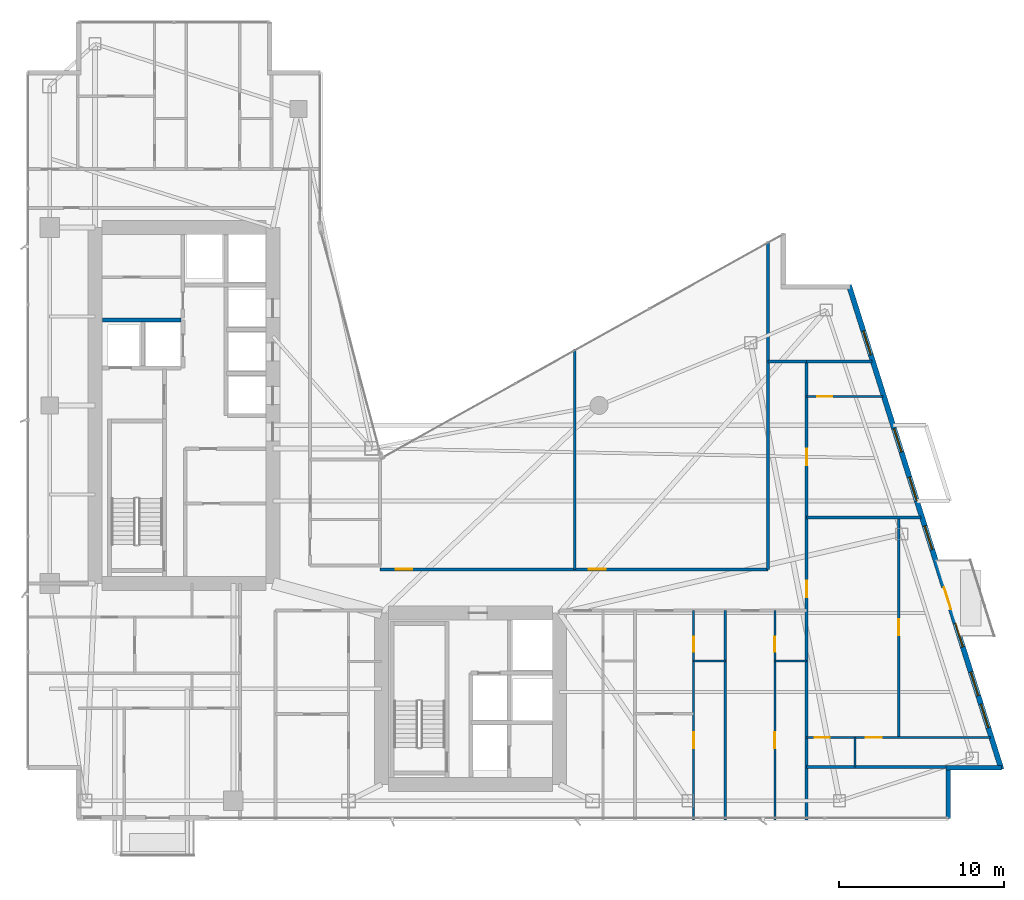
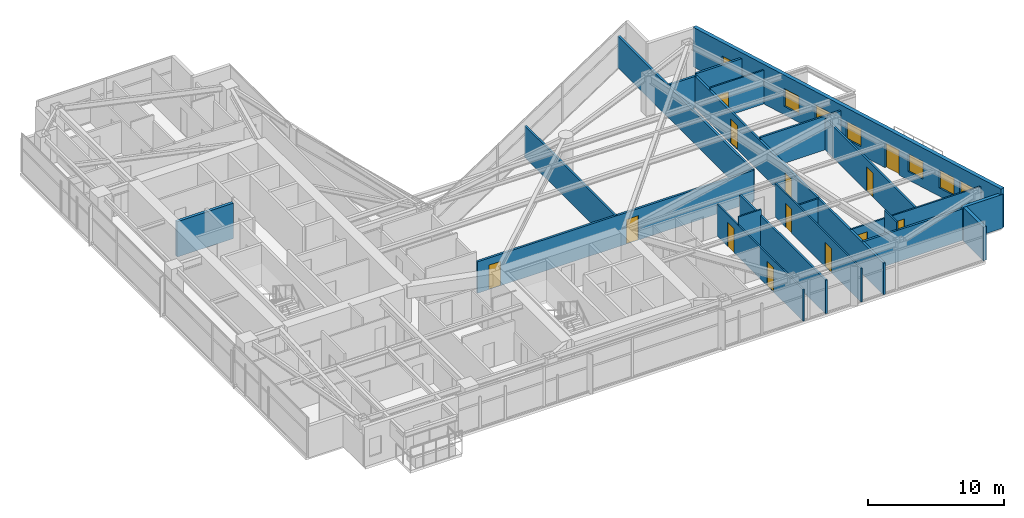
# One storey, part 24 of 28: 21 walls, 13 doors, 7 windows, 20 openings.
"""IFC4 building model written with IfcOpenShell, lengths in metres."""

from ifc_helpers import new_model, si_unit, direction, frame, frame_2d, origin, place, context, subcontext, project, spatial, rectangle, extrude, material, layer, layer_set, type_object, element, fill, save


model = new_model("IFC4")

# Units and contexts
model_context = context("Model", 3, precision=1e-05, world=origin(), true_north=direction((0.0, 1.0)))
body_context = subcontext(model_context, "Body", "Model", "MODEL_VIEW")
ifc_project = project(units=[si_unit("LENGTHUNIT", "METRE"), si_unit("AREAUNIT", "SQUARE_METRE"), si_unit("VOLUMEUNIT", "CUBIC_METRE"), si_unit("PLANEANGLEUNIT", "RADIAN"), si_unit("MASSUNIT", "GRAM", prefix="KILO")], contexts=[model_context])

# Site, building, storey
site_placement = place(None, origin())
site = spatial("IfcSite", under=ifc_project, at=site_placement, CompositionType="ELEMENT")
building_placement = place(site_placement, origin())
building = spatial("IfcBuilding", under=site, at=building_placement, Name="Calvorn Quay Hotel", CompositionType="ELEMENT")
storey_placement = place(building_placement, frame((0.0, 0.0, 108.800048828125)))
storey = spatial("IfcBuildingStorey", under=building, at=storey_placement, Name="L26", CompositionType="ELEMENT", Elevation=108.800048828125)

# Wall, openings, doors
ifc_material_1 = material(Name="Acoustic Fireboard Steel-Stud Partition", Category="steel")
ifc_layer_1 = layer(ifc_material_1, 0.179931640625)
ifc_layer_set_1 = layer_set([ifc_layer_1], Name="WL-CORR-FIRE-180")
wall_type_1 = type_object("IfcWallType", Name="WL-CORR-FIRE-180", PredefinedType="PARTITIONING", material=ifc_layer_set_1)
wall_1_placement = place(storey_placement, frame((21.5, 17.64990234375, 0.0), z_axis=(0.0, 0.0, 1.0), x_axis=(1.0, 0.0, 0.0)))
wall_1 = element("IfcWall", 1, at=wall_1_placement, inside=storey, type_object=wall_type_1, Name="Partition Wall L26-WL-CORR-NE-N", PredefinedType="PARTITIONING", context=body_context, shape_type="SweptSolid", body=[
    extrude(rectangle(XDim=23.550048828125, YDim=0.179931640625, at=frame_2d((11.77490234375, 0.0))), origin(), (0.0, 0.0, 1.0), 2.83984375),
])
opening_1_placement = place(wall_1_placement, frame((0.949951171875, 0.0, 0.0)))
opening_1 = element("IfcOpeningElement", 2, at=opening_1_placement, cuts=wall_1, Name="Opening D-L26-NS1", PredefinedType="OPENING", context=body_context, shape_type="SweptSolid", body=[
    extrude(rectangle(XDim=1.02001953125, YDim=2.199951171875, at=frame_2d((0.510009765625, 1.10009765625))), frame((0.0, 0.099853515625, 0.0), z_axis=(0.0, -1.0, 0.0), x_axis=(1.0, 0.0, 0.0)), (0.0, 0.0, 1.0), 0.199951171875),
])
opening_2_placement = place(wall_1_placement, frame((12.679931640625, 0.0, 0.0)))
opening_2 = element("IfcOpeningElement", 3, at=opening_2_placement, cuts=wall_1, Name="Opening D-L26-NS2", PredefinedType="OPENING", context=body_context, shape_type="SweptSolid", body=[
    extrude(rectangle(XDim=1.02001953125, YDim=2.199951171875, at=frame_2d((0.510009765625, 1.10009765625))), frame((0.0, 0.099853515625, 0.0), z_axis=(0.0, -1.0, 0.0), x_axis=(1.0, 0.0, 0.0)), (0.0, 0.0, 1.0), 0.199951171875),
])
ifc_material_2 = material(Name="Solid-Core Walnut Veneer Hotel Fire Door")
door_type_1 = type_object("IfcDoorType", Name="DR-GUEST-ENTRY-1020", OperationType="NOTDEFINED", PredefinedType="DOOR", material=ifc_material_2)
door_1_placement = place(opening_1_placement, origin())
door_1 = element("IfcDoor", 4, at=door_1_placement, inside=storey, type_object=door_type_1, Name="Conservatory Salon Door 1 (L26)", OperationType="SINGLE_SWING_RIGHT", OverallHeight=2.199951171875, OverallWidth=1.02001953125, PredefinedType="DOOR", context=body_context, shape_type="SweptSolid", body=[
    extrude(rectangle(XDim=1.02001953125, YDim=2.199951171875, at=frame_2d((0.510009765625, 1.10009765625))), frame((0.0, 0.02490234375, 0.0), z_axis=(0.0, -1.0, 0.0), x_axis=(1.0, 0.0, 0.0)), (0.0, 0.0, 1.0), 0.050048828125),
])
fill(opening_1, door_1)
door_2_placement = place(opening_2_placement, origin())
door_2 = element("IfcDoor", 5, at=door_2_placement, inside=storey, type_object=door_type_1, Name="Conservatory Salon Door 2 (L26)", OperationType="SINGLE_SWING_LEFT", OverallHeight=2.199951171875, OverallWidth=1.02001953125, PredefinedType="DOOR", context=body_context, shape_type="SweptSolid", body=[
    extrude(rectangle(XDim=1.02001953125, YDim=2.199951171875, at=frame_2d((0.510009765625, 1.10009765625))), frame((0.0, 0.02490234375, 0.0), z_axis=(0.0, -1.0, 0.0), x_axis=(1.0, 0.0, 0.0)), (0.0, 0.0, 1.0), 0.050048828125),
])
fill(opening_2, door_2)

# Walls
wall_2_placement = place(storey_placement, frame((45.050048828125, 17.64990234375, 0.0), z_axis=(0.0, 0.0, 1.0), x_axis=(0.0, 1.0, 0.0)))
element("IfcWall", 6, at=wall_2_placement, inside=storey, type_object=wall_type_1, Name="Partition Wall L26-WL-NE-END-E", PredefinedType="PARTITIONING", context=body_context, shape_type="SweptSolid", body=[
    extrude(rectangle(XDim=19.900146484375, YDim=0.179931640625, at=frame_2d((9.9501953125, 0.0))), origin(), (0.0, 0.0, 1.0), 2.83984375),
])
wall_3_placement = place(storey_placement, frame((47.39990234375, 5.659912109375, 0.0), z_axis=(0.0, 0.0, 1.0), x_axis=(1.0, 0.0, 0.0)))
element("IfcWall", 7, at=wall_3_placement, inside=storey, type_object=wall_type_1, Name="Partition Wall L26-WL-TIP-S", PredefinedType="PARTITIONING", context=body_context, shape_type="SweptSolid", body=[
    extrude(rectangle(XDim=8.60009765625, YDim=0.179931640625, at=frame_2d((4.300048828125, 0.0))), origin(), (0.0, 0.0, 1.0), 2.83984375),
])
wall_4_placement = place(storey_placement, frame((47.39990234375, 30.280029296875, 0.0), z_axis=(0.0, 0.0, 1.0), x_axis=(1.0, 0.0, 0.0)))
element("IfcWall", 8, at=wall_4_placement, inside=storey, type_object=wall_type_1, Name="Partition Wall L26-WL-TIP-N", PredefinedType="PARTITIONING", context=body_context, shape_type="SweptSolid", body=[
    extrude(rectangle(XDim=3.960205078125, YDim=0.179931640625, at=frame_2d((1.97998046875, 0.0))), origin(), (0.0, 0.0, 1.0), 3.0400390625),
])

# Wall, openings, doors
wall_5_placement = place(storey_placement, frame((47.39990234375, 2.43994140625, 0.0), z_axis=(0.0, 0.0, 1.0), x_axis=(0.0, 1.0, 0.0)))
wall_5 = element("IfcWall", 9, at=wall_5_placement, inside=storey, type_object=wall_type_1, Name="Partition Wall L26-WL-CORR-TIP-E", PredefinedType="PARTITIONING", context=body_context, shape_type="SweptSolid", body=[
    extrude(rectangle(XDim=27.840087890625, YDim=0.179931640625, at=frame_2d((13.919921875, 0.0))), origin(), (0.0, 0.0, 1.0), 2.83984375),
])
opening_3_placement = place(wall_5_placement, frame((13.510009765625, 0.0, 0.0)))
opening_3 = element("IfcOpeningElement", 10, at=opening_3_placement, cuts=wall_5, Name="Opening D-L26-U09", PredefinedType="OPENING", context=body_context, shape_type="SweptSolid", body=[
    extrude(rectangle(XDim=1.02001953125, YDim=2.199951171875, at=frame_2d((0.510009765625, 1.10009765625))), frame((0.0, 0.099853515625, 0.0), z_axis=(0.0, -1.0, 0.0), x_axis=(1.0, 0.0, 0.0)), (0.0, 0.0, 1.0), 0.199951171875),
])
opening_4_placement = place(wall_5_placement, frame((21.52001953125, 0.0, 0.0)))
opening_4 = element("IfcOpeningElement", 11, at=opening_4_placement, cuts=wall_5, Name="Opening D-L26-U10", PredefinedType="OPENING", context=body_context, shape_type="SweptSolid", body=[
    extrude(rectangle(XDim=1.02001953125, YDim=2.199951171875, at=frame_2d((0.510009765625, 1.10009765625))), frame((0.0, 0.099853515625, 0.0), z_axis=(0.0, -1.0, 0.0), x_axis=(1.0, 0.0, 0.0)), (0.0, 0.0, 1.0), 0.199951171875),
])
door_3_placement = place(opening_3_placement, origin())
door_3 = element("IfcDoor", 12, at=door_3_placement, inside=storey, type_object=door_type_1, Name="Terrace Suite Door U09 (L26)", OperationType="SINGLE_SWING_LEFT", OverallHeight=2.199951171875, OverallWidth=1.02001953125, PredefinedType="DOOR", context=body_context, shape_type="SweptSolid", body=[
    extrude(rectangle(XDim=1.02001953125, YDim=2.199951171875, at=frame_2d((0.510009765625, 1.10009765625))), frame((0.0, 0.02490234375, 0.0), z_axis=(0.0, -1.0, 0.0), x_axis=(1.0, 0.0, 0.0)), (0.0, 0.0, 1.0), 0.050048828125),
])
fill(opening_3, door_3)
door_4_placement = place(opening_4_placement, origin())
door_4 = element("IfcDoor", 13, at=door_4_placement, inside=storey, type_object=door_type_1, Name="Horizon Suite Door U10 (L26)", OperationType="SINGLE_SWING_RIGHT", OverallHeight=2.199951171875, OverallWidth=1.02001953125, PredefinedType="DOOR", context=body_context, shape_type="SweptSolid", body=[
    extrude(rectangle(XDim=1.02001953125, YDim=2.199951171875, at=frame_2d((0.510009765625, 1.10009765625))), frame((0.0, 0.02490234375, 0.0), z_axis=(0.0, -1.0, 0.0), x_axis=(1.0, 0.0, 0.0)), (0.0, 0.0, 1.0), 0.050048828125),
])
fill(opening_4, door_4)

# Walls
wall_6_placement = place(storey_placement, frame((45.050048828125, 30.280029296875, 0.0), z_axis=(0.0, 0.0, 1.0), x_axis=(1.0, 0.0, 0.0)))
element("IfcWall", 14, at=wall_6_placement, inside=storey, type_object=wall_type_1, Name="Partition Wall L26-WL-CORR-TIP-NN", PredefinedType="PARTITIONING", context=body_context, shape_type="SweptSolid", body=[
    extrude(rectangle(XDim=2.349853515625, YDim=0.179931640625, at=frame_2d((1.1748046875, 0.0))), origin(), (0.0, 0.0, 1.0), 2.83984375),
])
ifc_material_3 = material(Name="Moisture-Resistant Tile-Backed Partition")
ifc_layer_2 = layer(ifc_material_3, 0.125)
ifc_layer_set_2 = layer_set([ifc_layer_2], Name="WL-ENSUITE-125")
wall_type_2 = type_object("IfcWallType", Name="WL-ENSUITE-125", PredefinedType="PARTITIONING", material=ifc_layer_set_2)
wall_7_placement = place(storey_placement, frame((40.5400390625, 12.10009765625, 0.0), z_axis=(0.0, 0.0, 1.0), x_axis=(1.0, 0.0, 0.0)))
element("IfcWall", 15, at=wall_7_placement, inside=storey, type_object=wall_type_2, Name="Partition Wall L26-WL-U07-BDV", PredefinedType="PARTITIONING", context=body_context, shape_type="SweptSolid", body=[
    extrude(rectangle(XDim=1.929931640625, YDim=0.125, at=frame_2d((0.96484375, 0.0))), origin(), (0.0, 0.0, 1.0), 3.56005859375),
])

# Wall, openings, doors
wall_8_placement = place(storey_placement, frame((40.5400390625, 2.43994140625, 0.0), z_axis=(0.0, 0.0, 1.0), x_axis=(0.0, 1.0, 0.0)))
wall_8 = element("IfcWall", 16, at=wall_8_placement, inside=storey, type_object=wall_type_2, Name="Partition Wall L26-WL-U07-BV", PredefinedType="PARTITIONING", context=body_context, shape_type="SweptSolid", body=[
    extrude(rectangle(XDim=12.7099609375, YDim=0.125, at=frame_2d((6.35498046875, 0.0))), origin(), (0.0, 0.0, 1.0), 2.83984375),
])
opening_5_placement = place(wall_8_placement, frame((4.35009765625, 0.0, 0.0)))
opening_5 = element("IfcOpeningElement", 17, at=opening_5_placement, cuts=wall_8, Name="Opening D-L26-S07", PredefinedType="OPENING", context=body_context, shape_type="SweptSolid", body=[
    extrude(rectangle(XDim=0.9599609375, YDim=2.199951171875, at=frame_2d((0.47998046875, 1.10009765625))), frame((0.0, 0.072509765625, 0.0), z_axis=(0.0, -1.0, 0.0), x_axis=(1.0, 0.0, 0.0)), (0.0, 0.0, 1.0), 0.14501953125),
])
opening_6_placement = place(wall_8_placement, frame((10.2099609375, 0.0, 0.0)))
opening_6 = element("IfcOpeningElement", 18, at=opening_6_placement, cuts=wall_8, Name="Opening D-L26-E07", PredefinedType="OPENING", context=body_context, shape_type="SweptSolid", body=[
    extrude(rectangle(XDim=0.89990234375, YDim=2.14990234375, at=frame_2d((0.449951171875, 1.074951171875))), frame((0.0, 0.072509765625, 0.0), z_axis=(0.0, -1.0, 0.0), x_axis=(1.0, 0.0, 0.0)), (0.0, 0.0, 1.0), 0.14501953125),
])
ifc_material_4 = material(Name="Moisture-Sealed Timber En-Suite Door", Category="wood")
door_type_2 = type_object("IfcDoorType", Name="DR-ENSUITE-900", OperationType="NOTDEFINED", PredefinedType="DOOR", material=ifc_material_4)
door_5_placement = place(opening_6_placement, origin())
door_5 = element("IfcDoor", 19, at=door_5_placement, inside=storey, type_object=door_type_2, Name="En-Suite Door 07", OperationType="SINGLE_SWING_RIGHT", OverallHeight=2.14990234375, OverallWidth=0.89990234375, PredefinedType="DOOR", context=body_context, shape_type="SweptSolid", body=[
    extrude(rectangle(XDim=0.89990234375, YDim=2.14990234375, at=frame_2d((0.449951171875, 1.074951171875))), frame((0.0, 0.02490234375, 0.0), z_axis=(0.0, -1.0, 0.0), x_axis=(1.0, 0.0, 0.0)), (0.0, 0.0, 1.0), 0.050048828125),
])
fill(opening_6, door_5)
ifc_material_5 = material(Name="Solid Timber Internal Suite Door", Category="wood")
door_type_3 = type_object("IfcDoorType", Name="DR-SUITE-INT-960", OperationType="NOTDEFINED", PredefinedType="DOOR", material=ifc_material_5)
door_6_placement = place(opening_5_placement, origin())
door_6 = element("IfcDoor", 20, at=door_6_placement, inside=storey, type_object=door_type_3, Name="Harbour Dining Den Door 07", OperationType="SINGLE_SWING_LEFT", OverallHeight=2.199951171875, OverallWidth=0.9599609375, PredefinedType="DOOR", context=body_context, shape_type="SweptSolid", body=[
    extrude(rectangle(XDim=0.9599609375, YDim=2.199951171875, at=frame_2d((0.47998046875, 1.10009765625))), frame((0.0, 0.02490234375, 0.0), z_axis=(0.0, -1.0, 0.0), x_axis=(1.0, 0.0, 0.0)), (0.0, 0.0, 1.0), 0.050048828125),
])
fill(opening_5, door_6)

# Wall
wall_9_placement = place(storey_placement, frame((45.469970703125, 12.10009765625, 0.0), z_axis=(0.0, 0.0, 1.0), x_axis=(1.0, 0.0, 0.0)))
element("IfcWall", 21, at=wall_9_placement, inside=storey, type_object=wall_type_2, Name="Partition Wall L26-WL-U08-BDV", PredefinedType="PARTITIONING", context=body_context, shape_type="SweptSolid", body=[
    extrude(rectangle(XDim=1.929931640625, YDim=0.125, at=frame_2d((0.96484375, 0.0))), origin(), (0.0, 0.0, 1.0), 2.83984375),
])

# Wall, openings, doors
wall_10_placement = place(storey_placement, frame((45.469970703125, 2.43994140625, 0.0), z_axis=(0.0, 0.0, 1.0), x_axis=(0.0, 1.0, 0.0)))
wall_10 = element("IfcWall", 22, at=wall_10_placement, inside=storey, type_object=wall_type_2, Name="Partition Wall L26-WL-U08-BV", PredefinedType="PARTITIONING", context=body_context, shape_type="SweptSolid", body=[
    extrude(rectangle(XDim=12.7099609375, YDim=0.125, at=frame_2d((6.35498046875, 0.0))), origin(), (0.0, 0.0, 1.0), 3.0400390625),
])
opening_7_placement = place(wall_10_placement, frame((4.35009765625, 0.0, 0.0)))
opening_7 = element("IfcOpeningElement", 23, at=opening_7_placement, cuts=wall_10, Name="Opening D-L26-S08", PredefinedType="OPENING", context=body_context, shape_type="SweptSolid", body=[
    extrude(rectangle(XDim=0.9599609375, YDim=2.199951171875, at=frame_2d((0.47998046875, 1.10009765625))), frame((0.0, 0.072509765625, 0.0), z_axis=(0.0, -1.0, 0.0), x_axis=(1.0, 0.0, 0.0)), (0.0, 0.0, 1.0), 0.14501953125),
])
opening_8_placement = place(wall_10_placement, frame((10.2099609375, 0.0, 0.0)))
opening_8 = element("IfcOpeningElement", 24, at=opening_8_placement, cuts=wall_10, Name="Opening D-L26-E08", PredefinedType="OPENING", context=body_context, shape_type="SweptSolid", body=[
    extrude(rectangle(XDim=0.89990234375, YDim=2.14990234375, at=frame_2d((0.449951171875, 1.074951171875))), frame((0.0, 0.072509765625, 0.0), z_axis=(0.0, -1.0, 0.0), x_axis=(1.0, 0.0, 0.0)), (0.0, 0.0, 1.0), 0.14501953125),
])
door_7_placement = place(opening_8_placement, origin())
door_7 = element("IfcDoor", 25, at=door_7_placement, inside=storey, type_object=door_type_2, Name="En-Suite Door 08", OperationType="SINGLE_SWING_RIGHT", OverallHeight=2.14990234375, OverallWidth=0.89990234375, PredefinedType="DOOR", context=body_context, shape_type="SweptSolid", body=[
    extrude(rectangle(XDim=0.89990234375, YDim=2.14990234375, at=frame_2d((0.449951171875, 1.074951171875))), frame((0.0, 0.02490234375, 0.0), z_axis=(0.0, -1.0, 0.0), x_axis=(1.0, 0.0, 0.0)), (0.0, 0.0, 1.0), 0.050048828125),
])
fill(opening_8, door_7)
door_8_placement = place(opening_7_placement, origin())
door_8 = element("IfcDoor", 26, at=door_8_placement, inside=storey, type_object=door_type_3, Name="Harbour Dining Den Door 08", OperationType="SINGLE_SWING_LEFT", OverallHeight=2.199951171875, OverallWidth=0.9599609375, PredefinedType="DOOR", context=body_context, shape_type="SweptSolid", body=[
    extrude(rectangle(XDim=0.9599609375, YDim=2.199951171875, at=frame_2d((0.47998046875, 1.10009765625))), frame((0.0, 0.02490234375, 0.0), z_axis=(0.0, -1.0, 0.0), x_axis=(1.0, 0.0, 0.0)), (0.0, 0.0, 1.0), 0.050048828125),
])
fill(opening_7, door_8)

# Wall
wall_11_placement = place(storey_placement, frame((50.35009765625, 5.659912109375, 0.0), z_axis=(0.0, 0.0, 1.0), x_axis=(0.0, 1.0, 0.0)))
element("IfcWall", 27, at=wall_11_placement, inside=storey, type_object=wall_type_2, Name="Partition Wall L26-WL-U09-BDV", PredefinedType="PARTITIONING", context=body_context, shape_type="SweptSolid", body=[
    extrude(rectangle(XDim=1.7900390625, YDim=0.125, at=frame_2d((0.89501953125, 0.0))), origin(), (0.0, 0.0, 1.0), 3.56005859375),
])

# Wall, openings, doors
wall_12_placement = place(storey_placement, frame((47.39990234375, 7.449951171875, 0.0), z_axis=(0.0, 0.0, 1.0), x_axis=(1.0, 0.0, 0.0)))
wall_12 = element("IfcWall", 28, at=wall_12_placement, inside=storey, type_object=wall_type_2, Name="Partition Wall L26-WL-U09-BH", PredefinedType="PARTITIONING", context=body_context, shape_type="SweptSolid", body=[
    extrude(rectangle(XDim=11.16015625, YDim=0.125, at=frame_2d((5.580078125, 0.0))), origin(), (0.0, 0.0, 1.0), 2.83984375),
])
opening_9_placement = place(wall_12_placement, frame((0.5, 0.0, 0.0)))
opening_9 = element("IfcOpeningElement", 29, at=opening_9_placement, cuts=wall_12, Name="Opening D-L26-E09", PredefinedType="OPENING", context=body_context, shape_type="SweptSolid", body=[
    extrude(rectangle(XDim=0.89990234375, YDim=2.14990234375, at=frame_2d((0.449951171875, 1.074951171875))), frame((0.0, 0.072509765625, 0.0), z_axis=(0.0, -1.0, 0.0), x_axis=(1.0, 0.0, 0.0)), (0.0, 0.0, 1.0), 0.14501953125),
])
opening_10_placement = place(wall_12_placement, frame((3.60009765625, 0.0, 0.0)))
opening_10 = element("IfcOpeningElement", 30, at=opening_10_placement, cuts=wall_12, Name="Opening D-L26-S09", PredefinedType="OPENING", context=body_context, shape_type="SweptSolid", body=[
    extrude(rectangle(XDim=0.9599609375, YDim=2.199951171875, at=frame_2d((0.47998046875, 1.10009765625))), frame((0.0, 0.072509765625, 0.0), z_axis=(0.0, -1.0, 0.0), x_axis=(1.0, 0.0, 0.0)), (0.0, 0.0, 1.0), 0.14501953125),
])
door_9_placement = place(opening_9_placement, origin())
door_9 = element("IfcDoor", 31, at=door_9_placement, inside=storey, type_object=door_type_2, Name="En-Suite Door 09", OperationType="SINGLE_SWING_LEFT", OverallHeight=2.14990234375, OverallWidth=0.89990234375, PredefinedType="DOOR", context=body_context, shape_type="SweptSolid", body=[
    extrude(rectangle(XDim=0.89990234375, YDim=2.14990234375, at=frame_2d((0.449951171875, 1.074951171875))), frame((0.0, 0.02490234375, 0.0), z_axis=(0.0, -1.0, 0.0), x_axis=(1.0, 0.0, 0.0)), (0.0, 0.0, 1.0), 0.050048828125),
])
fill(opening_9, door_9)
door_10_placement = place(opening_10_placement, origin())
door_10 = element("IfcDoor", 32, at=door_10_placement, inside=storey, type_object=door_type_3, Name="Harbour Dining Den Door 09", OperationType="SINGLE_SWING_RIGHT", OverallHeight=2.199951171875, OverallWidth=0.9599609375, PredefinedType="DOOR", context=body_context, shape_type="SweptSolid", body=[
    extrude(rectangle(XDim=0.9599609375, YDim=2.199951171875, at=frame_2d((0.47998046875, 1.10009765625))), frame((0.0, 0.02490234375, 0.0), z_axis=(0.0, -1.0, 0.0), x_axis=(1.0, 0.0, 0.0)), (0.0, 0.0, 1.0), 0.050048828125),
])
fill(opening_10, door_10)

# Wall, opening, door
wall_13_placement = place(storey_placement, frame((47.39990234375, 28.14990234375, 0.0), z_axis=(0.0, 0.0, 1.0), x_axis=(1.0, 0.0, 0.0)))
wall_13 = element("IfcWall", 33, at=wall_13_placement, inside=storey, type_object=wall_type_2, Name="Partition Wall L26-WL-U10-BH", PredefinedType="PARTITIONING", context=body_context, shape_type="SweptSolid", body=[
    extrude(rectangle(XDim=4.630126953125, YDim=0.125, at=frame_2d((2.31494140625, 0.0))), origin(), (0.0, 0.0, 1.0), 3.0400390625),
])
opening_11_placement = place(wall_13_placement, frame((0.64990234375, 0.0, 0.0)))
opening_11 = element("IfcOpeningElement", 34, at=opening_11_placement, cuts=wall_13, Name="Opening D-L26-E10", PredefinedType="OPENING", context=body_context, shape_type="SweptSolid", body=[
    extrude(rectangle(XDim=0.89990234375, YDim=2.14990234375, at=frame_2d((0.449951171875, 1.074951171875))), frame((0.0, 0.072509765625, 0.0), z_axis=(0.0, -1.0, 0.0), x_axis=(1.0, 0.0, 0.0)), (0.0, 0.0, 1.0), 0.14501953125),
])
door_11_placement = place(opening_11_placement, origin())
door_11 = element("IfcDoor", 35, at=door_11_placement, inside=storey, type_object=door_type_2, Name="En-Suite Door 10", OperationType="SINGLE_SWING_LEFT", OverallHeight=2.14990234375, OverallWidth=0.89990234375, PredefinedType="DOOR", context=body_context, shape_type="SweptSolid", body=[
    extrude(rectangle(XDim=0.89990234375, YDim=2.14990234375, at=frame_2d((0.449951171875, 1.074951171875))), frame((0.0, 0.02490234375, 0.0), z_axis=(0.0, -1.0, 0.0), x_axis=(1.0, 0.0, 0.0)), (0.0, 0.0, 1.0), 0.050048828125),
])
fill(opening_11, door_11)

# Walls
ifc_material_6 = material(Name="Concrete C40", Category="concrete")
ifc_layer_3 = layer(ifc_material_6, 0.320068359375)
ifc_layer_set_3 = layer_set([ifc_layer_3], Name="WL-EXT-SPANDREL-320")
wall_type_3 = type_object("IfcWallType", Name="WL-EXT-SPANDREL-320", PredefinedType="SOLIDWALL", material=ifc_layer_set_3)
wall_14_placement = place(storey_placement, frame((56.0, 2.52001953125, 0.0), z_axis=(0.0, 0.0, 1.0), x_axis=(0.0, 1.0, 0.0)))
element("IfcWall", 36, at=wall_14_placement, inside=storey, type_object=wall_type_3, Name="Notched Corner Spandrel L26-SE1", PredefinedType="SOLIDWALL", context=body_context, shape_type="SweptSolid", body=[
    extrude(rectangle(XDim=2.93994140625, YDim=0.280029296875, at=frame_2d((1.469970703125, 0.0))), origin(), (0.0, 0.0, 1.0), 3.0400390625),
])
wall_15_placement = place(storey_placement, frame((55.860107421875, 5.60009765625, 0.0), z_axis=(0.0, 0.0, 1.0), x_axis=(1.0, 0.0, 0.0)))
element("IfcWall", 37, at=wall_15_placement, inside=storey, type_object=wall_type_3, Name="Notched Corner Spandrel L26-SE2", PredefinedType="SOLIDWALL", context=body_context, shape_type="SweptSolid", body=[
    extrude(rectangle(XDim=3.3798828125, YDim=0.280029296875, at=frame_2d((1.68994140625, 0.0))), origin(), (0.0, 0.0, 1.0), 3.0400390625),
])

# Wall, openings, door, windows
wall_16_placement = place(storey_placement, frame((59.22998046875, 5.5048828125, 0.0), z_axis=(0.0, 0.0, 1.0), x_axis=(-0.300509063924, 0.953778958931, 0.0)))
wall_16 = element("IfcWall", 38, at=wall_16_placement, inside=storey, type_object=wall_type_3, Name="East Stepped Waterfront Exterior Wall (L26)", PredefinedType="SOLIDWALL", context=body_context, shape_type="SweptSolid", body=[
    extrude(rectangle(XDim=30.814453125, YDim=0.320068359375, at=frame_2d((15.4072265625, 0.0))), origin(), (0.0, 0.0, 1.0), 3.56005859375),
])
opening_12_placement = place(wall_16_placement, frame((10.198974609375, 0.0, 0.0)))
opening_12 = element("IfcOpeningElement", 39, at=opening_12_placement, cuts=wall_16, Name="Opening DB-L26-1", PredefinedType="OPENING", context=body_context, shape_type="SweptSolid", body=[
    extrude(rectangle(XDim=1.39990234375, YDim=2.25, at=frame_2d((0.699951171875, 1.125))), frame((0.0, 0.169921875, 0.0), z_axis=(0.0, -1.0, 0.0), x_axis=(1.0, 0.0, 0.0)), (0.0, 0.0, 1.0), 0.340087890625),
])
opening_13_placement = place(wall_16_placement, frame((2.64990234375, 0.0, 0.75)))
opening_13 = element("IfcOpeningElement", 40, at=opening_13_placement, cuts=wall_16, Name="Opening WG-L26-E1", PredefinedType="OPENING", context=body_context, shape_type="SweptSolid", body=[
    extrude(rectangle(XDim=1.5, YDim=1.60009765625, at=frame_2d((0.75, 0.800048828125))), frame((0.0, 0.169921875, 0.0), z_axis=(0.0, -1.0, 0.0), x_axis=(1.0, 0.0, 0.0)), (0.0, 0.0, 1.0), 0.340087890625),
])
opening_14_placement = place(wall_16_placement, frame((4.699951171875, 0.0, 0.75)))
opening_14 = element("IfcOpeningElement", 41, at=opening_14_placement, cuts=wall_16, Name="Opening WG-L26-E2", PredefinedType="OPENING", context=body_context, shape_type="SweptSolid", body=[
    extrude(rectangle(XDim=1.5, YDim=1.60009765625, at=frame_2d((0.75, 0.800048828125))), frame((0.0, 0.169921875, 0.0), z_axis=(0.0, -1.0, 0.0), x_axis=(1.0, 0.0, 0.0)), (0.0, 0.0, 1.0), 0.340087890625),
])
opening_15_placement = place(wall_16_placement, frame((7.800048828125, 0.0, 0.75)))
opening_15 = element("IfcOpeningElement", 42, at=opening_15_placement, cuts=wall_16, Name="Opening WG-L26-E3", PredefinedType="OPENING", context=body_context, shape_type="SweptSolid", body=[
    extrude(rectangle(XDim=1.5, YDim=1.60009765625, at=frame_2d((0.75, 0.800048828125))), frame((0.0, 0.169921875, 0.0), z_axis=(0.0, -1.0, 0.0), x_axis=(1.0, 0.0, 0.0)), (0.0, 0.0, 1.0), 0.340087890625),
])
opening_16_placement = place(wall_16_placement, frame((14.0, 0.0, 0.75)))
opening_16 = element("IfcOpeningElement", 43, at=opening_16_placement, cuts=wall_16, Name="Opening WG-L26-E4", PredefinedType="OPENING", context=body_context, shape_type="SweptSolid", body=[
    extrude(rectangle(XDim=1.5, YDim=1.60009765625, at=frame_2d((0.75, 0.800048828125))), frame((0.0, 0.169921875, 0.0), z_axis=(0.0, -1.0, 0.0), x_axis=(1.0, 0.0, 0.0)), (0.0, 0.0, 1.0), 0.340087890625),
])
opening_17_placement = place(wall_16_placement, frame((17.10009765625, 0.0, 0.75)))
opening_17 = element("IfcOpeningElement", 44, at=opening_17_placement, cuts=wall_16, Name="Opening WG-L26-E5", PredefinedType="OPENING", context=body_context, shape_type="SweptSolid", body=[
    extrude(rectangle(XDim=1.5, YDim=1.60009765625, at=frame_2d((0.75, 0.800048828125))), frame((0.0, 0.169921875, 0.0), z_axis=(0.0, -1.0, 0.0), x_axis=(1.0, 0.0, 0.0)), (0.0, 0.0, 1.0), 0.340087890625),
])
opening_18_placement = place(wall_16_placement, frame((20.199951171875, 0.0, 0.75)))
opening_18 = element("IfcOpeningElement", 45, at=opening_18_placement, cuts=wall_16, Name="Opening WG-L26-E6", PredefinedType="OPENING", context=body_context, shape_type="SweptSolid", body=[
    extrude(rectangle(XDim=1.5, YDim=1.60009765625, at=frame_2d((0.75, 0.800048828125))), frame((0.0, 0.169921875, 0.0), z_axis=(0.0, -1.0, 0.0), x_axis=(1.0, 0.0, 0.0)), (0.0, 0.0, 1.0), 0.340087890625),
])
opening_19_placement = place(wall_16_placement, frame((26.39990234375, 0.0, 0.75)))
opening_19 = element("IfcOpeningElement", 46, at=opening_19_placement, cuts=wall_16, Name="Opening WG-L26-E7", PredefinedType="OPENING", context=body_context, shape_type="SweptSolid", body=[
    extrude(rectangle(XDim=1.5, YDim=1.60009765625, at=frame_2d((0.75, 0.800048828125))), frame((0.0, 0.169921875, 0.0), z_axis=(0.0, -1.0, 0.0), x_axis=(1.0, 0.0, 0.0)), (0.0, 0.0, 1.0), 0.340087890625),
])
ifc_material_7 = material(Name="Typhoon-Rated Low-E Aluminium Terrace Door", Category="aluminium")
door_type_4 = type_object("IfcDoorType", Name="DR-BALCONY-GLZ-1400", OperationType="NOTDEFINED", PredefinedType="DOOR", material=ifc_material_7)
door_12_placement = place(opening_12_placement, origin())
door_12 = element("IfcDoor", 47, at=door_12_placement, inside=storey, type_object=door_type_4, Name="Tree Balcony Terrace Door L26-BALC-E", OperationType="SINGLE_SWING_LEFT", OverallHeight=2.25, OverallWidth=1.39990234375, PredefinedType="DOOR", context=body_context, shape_type="SweptSolid", body=[
    extrude(rectangle(XDim=1.39990234375, YDim=2.25, at=frame_2d((0.699951171875, 1.125))), frame((0.0, 0.02490234375, 0.0), z_axis=(0.0, -1.0, 0.0), x_axis=(1.0, 0.0, 0.0)), (0.0, 0.0, 1.0), 0.050048828125),
])
fill(opening_12, door_12)
ifc_material_8 = material(Name="Self-Closing Class B Fire Window")
window_type = type_object("IfcWindowType", Name="WIN-REFUGE-1500x1600", PartitioningType="SINGLE_PANEL", PredefinedType="WINDOW", material=ifc_material_8)
window_1_placement = place(opening_13_placement, origin())
window_1 = element("IfcWindow", 48, at=window_1_placement, inside=storey, type_object=window_type, Name="East Facade Window L26-E1", OverallHeight=1.60009765625, OverallWidth=1.5, PartitioningType="SINGLE_PANEL", PredefinedType="WINDOW", context=body_context, shape_type="SweptSolid", body=[
    extrude(rectangle(XDim=1.5, YDim=1.60009765625, at=frame_2d((0.75, 0.800048828125))), frame((0.0, 0.030029296875, 0.0), z_axis=(0.0, -1.0, 0.0), x_axis=(1.0, 0.0, 0.0)), (0.0, 0.0, 1.0), 0.06005859375),
])
fill(opening_13, window_1)
window_2_placement = place(opening_14_placement, origin())
window_2 = element("IfcWindow", 49, at=window_2_placement, inside=storey, type_object=window_type, Name="East Facade Window L26-E2", OverallHeight=1.60009765625, OverallWidth=1.5, PartitioningType="SINGLE_PANEL", PredefinedType="WINDOW", context=body_context, shape_type="SweptSolid", body=[
    extrude(rectangle(XDim=1.5, YDim=1.60009765625, at=frame_2d((0.75, 0.800048828125))), frame((0.0, 0.030029296875, 0.0), z_axis=(0.0, -1.0, 0.0), x_axis=(1.0, 0.0, 0.0)), (0.0, 0.0, 1.0), 0.06005859375),
])
fill(opening_14, window_2)
window_3_placement = place(opening_15_placement, origin())
window_3 = element("IfcWindow", 50, at=window_3_placement, inside=storey, type_object=window_type, Name="East Facade Window L26-E3", OverallHeight=1.60009765625, OverallWidth=1.5, PartitioningType="SINGLE_PANEL", PredefinedType="WINDOW", context=body_context, shape_type="SweptSolid", body=[
    extrude(rectangle(XDim=1.5, YDim=1.60009765625, at=frame_2d((0.75, 0.800048828125))), frame((0.0, 0.030029296875, 0.0), z_axis=(0.0, -1.0, 0.0), x_axis=(1.0, 0.0, 0.0)), (0.0, 0.0, 1.0), 0.06005859375),
])
fill(opening_15, window_3)
window_4_placement = place(opening_16_placement, origin())
window_4 = element("IfcWindow", 51, at=window_4_placement, inside=storey, type_object=window_type, Name="East Facade Window L26-E4", OverallHeight=1.60009765625, OverallWidth=1.5, PartitioningType="SINGLE_PANEL", PredefinedType="WINDOW", context=body_context, shape_type="SweptSolid", body=[
    extrude(rectangle(XDim=1.5, YDim=1.60009765625, at=frame_2d((0.75, 0.800048828125))), frame((0.0, 0.030029296875, 0.0), z_axis=(0.0, -1.0, 0.0), x_axis=(1.0, 0.0, 0.0)), (0.0, 0.0, 1.0), 0.06005859375),
])
fill(opening_16, window_4)
window_5_placement = place(opening_17_placement, origin())
window_5 = element("IfcWindow", 52, at=window_5_placement, inside=storey, type_object=window_type, Name="East Facade Window L26-E5", OverallHeight=1.60009765625, OverallWidth=1.5, PartitioningType="SINGLE_PANEL", PredefinedType="WINDOW", context=body_context, shape_type="SweptSolid", body=[
    extrude(rectangle(XDim=1.5, YDim=1.60009765625, at=frame_2d((0.75, 0.800048828125))), frame((0.0, 0.030029296875, 0.0), z_axis=(0.0, -1.0, 0.0), x_axis=(1.0, 0.0, 0.0)), (0.0, 0.0, 1.0), 0.06005859375),
])
fill(opening_17, window_5)
window_6_placement = place(opening_18_placement, origin())
window_6 = element("IfcWindow", 53, at=window_6_placement, inside=storey, type_object=window_type, Name="East Facade Window L26-E6", OverallHeight=1.60009765625, OverallWidth=1.5, PartitioningType="SINGLE_PANEL", PredefinedType="WINDOW", context=body_context, shape_type="SweptSolid", body=[
    extrude(rectangle(XDim=1.5, YDim=1.60009765625, at=frame_2d((0.75, 0.800048828125))), frame((0.0, 0.030029296875, 0.0), z_axis=(0.0, -1.0, 0.0), x_axis=(1.0, 0.0, 0.0)), (0.0, 0.0, 1.0), 0.06005859375),
])
fill(opening_18, window_6)
window_7_placement = place(opening_19_placement, origin())
window_7 = element("IfcWindow", 54, at=window_7_placement, inside=storey, type_object=window_type, Name="East Facade Window L26-E7", OverallHeight=1.60009765625, OverallWidth=1.5, PartitioningType="SINGLE_PANEL", PredefinedType="WINDOW", context=body_context, shape_type="SweptSolid", body=[
    extrude(rectangle(XDim=1.5, YDim=1.60009765625, at=frame_2d((0.75, 0.800048828125))), frame((0.0, 0.030029296875, 0.0), z_axis=(0.0, -1.0, 0.0), x_axis=(1.0, 0.0, 0.0)), (0.0, 0.0, 1.0), 0.06005859375),
])
fill(opening_19, window_7)

# Walls
ifc_material_9 = material(Name="Double-Stud Acoustic Gypsum Partition")
ifc_layer_4 = layer(ifc_material_9, 0.159912109375)
ifc_layer_set_4 = layer_set([ifc_layer_4], Name="WL-INTERSUITE-160")
wall_type_4 = type_object("IfcWallType", Name="WL-INTERSUITE-160", PredefinedType="PARTITIONING", material=ifc_layer_set_4)
wall_17_placement = place(storey_placement, frame((42.469970703125, 2.43994140625, 0.0), z_axis=(0.0, 0.0, 1.0), x_axis=(0.0, 1.0, 0.0)))
element("IfcWall", 55, at=wall_17_placement, inside=storey, type_object=wall_type_4, Name="Partition Wall L26-WL-SE-DIV-2", PredefinedType="PARTITIONING", context=body_context, shape_type="SweptSolid", body=[
    extrude(rectangle(XDim=12.7099609375, YDim=0.159912109375, at=frame_2d((6.35498046875, 0.0))), origin(), (0.0, 0.0, 1.0), 3.0400390625),
])
wall_18_placement = place(storey_placement, frame((33.330078125, 17.64990234375, 0.0), z_axis=(0.0, 0.0, 1.0), x_axis=(0.0, 1.0, 0.0)))
element("IfcWall", 56, at=wall_18_placement, inside=storey, type_object=wall_type_4, Name="Partition Wall L26-WL-NE-DIV-1", PredefinedType="PARTITIONING", context=body_context, shape_type="SweptSolid", body=[
    extrude(rectangle(XDim=13.3701171875, YDim=0.159912109375, at=frame_2d((6.68505859375, 0.0))), origin(), (0.0, 0.0, 1.0), 2.83984375),
])

# Wall, opening, door
wall_19_placement = place(storey_placement, frame((52.989990234375, 7.449951171875, 0.0), z_axis=(0.0, 0.0, 1.0), x_axis=(0.0, 1.0, 0.0)))
wall_19 = element("IfcWall", 57, at=wall_19_placement, inside=storey, type_object=wall_type_4, Name="Partition Wall L26-WL-U09-MSP", PredefinedType="PARTITIONING", context=body_context, shape_type="SweptSolid", body=[
    extrude(rectangle(XDim=13.35009765625, YDim=0.159912109375, at=frame_2d((6.675048828125, 0.0))), origin(), (0.0, 0.0, 1.0), 2.83984375),
])
opening_20_placement = place(wall_19_placement, frame((6.199951171875, 0.0, 0.0)))
opening_20 = element("IfcOpeningElement", 58, at=opening_20_placement, cuts=wall_19, Name="Opening D-L26-M09", PredefinedType="OPENING", context=body_context, shape_type="SweptSolid", body=[
    extrude(rectangle(XDim=0.9599609375, YDim=2.199951171875, at=frame_2d((0.47998046875, 1.10009765625))), frame((0.0, 0.08984375, 0.0), z_axis=(0.0, -1.0, 0.0), x_axis=(1.0, 0.0, 0.0)), (0.0, 0.0, 1.0), 0.179931640625),
])
door_13_placement = place(opening_20_placement, origin())
door_13 = element("IfcDoor", 59, at=door_13_placement, inside=storey, type_object=door_type_3, Name="Suite Bedroom Door 09", OperationType="SINGLE_SWING_LEFT", OverallHeight=2.199951171875, OverallWidth=0.9599609375, PredefinedType="DOOR", context=body_context, shape_type="SweptSolid", body=[
    extrude(rectangle(XDim=0.9599609375, YDim=2.199951171875, at=frame_2d((0.47998046875, 1.10009765625))), frame((0.0, 0.02490234375, 0.0), z_axis=(0.0, -1.0, 0.0), x_axis=(1.0, 0.0, 0.0)), (0.0, 0.0, 1.0), 0.050048828125),
])
fill(opening_20, door_13)

# Walls
wall_20_placement = place(storey_placement, frame((47.39990234375, 20.800048828125, 0.0), z_axis=(0.0, 0.0, 1.0), x_axis=(1.0, 0.0, 0.0)))
element("IfcWall", 60, at=wall_20_placement, inside=storey, type_object=wall_type_4, Name="Partition Wall L26-WL-TIP-DIV", PredefinedType="PARTITIONING", context=body_context, shape_type="SweptSolid", body=[
    extrude(rectangle(XDim=6.9501953125, YDim=0.159912109375, at=frame_2d((3.47509765625, 0.0))), origin(), (0.0, 0.0, 1.0), 3.0400390625),
])
ifc_material_10 = material(Name="Concrete C40", Category="concrete")
ifc_layer_5 = layer(ifc_material_10, 0.239990234375)
ifc_layer_set_5 = layer_set([ifc_layer_5], Name="WL-SHAFT-240")
wall_type_5 = type_object("IfcWallType", Name="WL-SHAFT-240", PredefinedType="SOLIDWALL", material=ifc_layer_set_5)
wall_21_placement = place(storey_placement, frame((4.64501953125, 32.780029296875, 0.0), z_axis=(0.0, 0.0, 1.0), x_axis=(1.0, 0.0, 0.0)))
element("IfcWall", 61, at=wall_21_placement, inside=storey, type_object=wall_type_5, Name="Partition Wall L26-WL-CWW-SLW-N", PredefinedType="SOLIDWALL", context=body_context, shape_type="SweptSolid", body=[
    extrude(rectangle(XDim=4.77490234375, YDim=0.239990234375, at=frame_2d((2.387451171875, 0.0))), origin(), (0.0, 0.0, 1.0), 3.18994140625),
])

save(model, "model.ifc")
